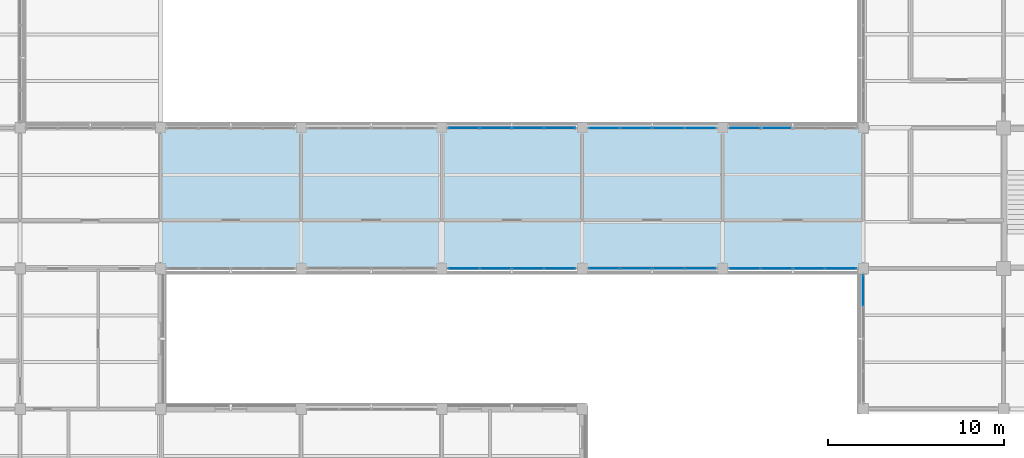
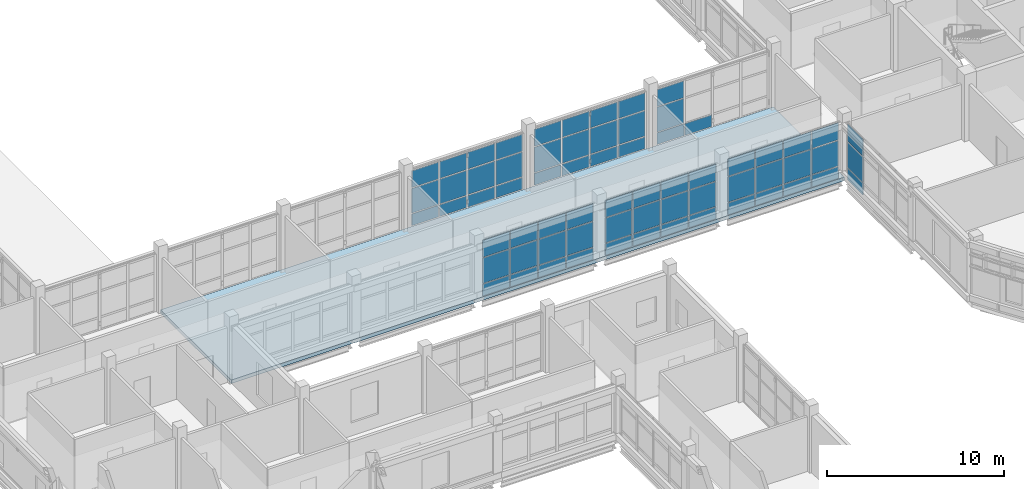
# One storey, part 63 of 121: 67 plates, 1 slab, 7 elements without a shape of their own.
"""IFC4 building model written with IfcOpenShell, lengths in metres."""

from ifc_helpers import new_model, si_unit, derived_unit, direction, frame, origin, origin_2d, place, context, subcontext, project, spatial, polyline, rectangle, outline, extrude, material, layer, layer_set, type_object, element, aggregate, save


model = new_model("IFC4")

# Units and contexts
model_context = context("Model", 3, precision=1e-05, world=origin(), true_north=direction((0.0, 1.0)))
body_context = subcontext(model_context, "Body", "Model", "MODEL_VIEW")
ifc_project = project(units=[si_unit("LENGTHUNIT", "METRE"), si_unit("AREAUNIT", "SQUARE_METRE"), si_unit("VOLUMEUNIT", "CUBIC_METRE"), si_unit("PLANEANGLEUNIT", "RADIAN"), si_unit("MASSUNIT", "GRAM", prefix="KILO"), derived_unit("THERMALTRANSMITTANCEUNIT", [(si_unit("MASSUNIT", "GRAM", prefix="KILO"), 1), (si_unit("TIMEUNIT", "SECOND"), -3), (si_unit("THERMODYNAMICTEMPERATUREUNIT", "KELVIN"), -1)])], contexts=[model_context])

# Site, building, storey
site_placement = place(None, origin())
site = spatial("IfcSite", under=ifc_project, at=site_placement, CompositionType="ELEMENT")
building_placement = place(site_placement, origin())
building = spatial("IfcBuilding", under=site, at=building_placement, Name="Veyamyaing Civic Hall", CompositionType="ELEMENT")
storey_placement = place(building_placement, frame((0.0, 0.0, 5.280029296875)))
storey = spatial("IfcBuildingStorey", under=building, at=storey_placement, Name="L01", CompositionType="ELEMENT", Elevation=5.280029296875)

# Curtain wall, plates
ifc_material_1 = material(Name="Anodised aluminium 6063-T6", Category="aluminium")
ifc_layer_1 = layer(ifc_material_1, 0.159912109375, Name="Anodised aluminium 6063-T6")
ifc_layer_set_1 = layer_set([ifc_layer_1], Name="Anodised aluminium 6063-T6")
curtain_wall_type = type_object("IfcCurtainWallType", Name="CW-02", PredefinedType="NOTDEFINED", material=ifc_layer_set_1)
curtain_wall_1_placement = place(storey_placement, origin())
curtain_wall_1 = element("IfcCurtainWall", 1, at=curtain_wall_1_placement, inside=storey, type_object=curtain_wall_type, Name="Unitized curtain wall CW-02 L01 S 5.7", PredefinedType="NOTDEFINED")
ifc_material_2 = material(Name="Low-E insulated glass", Category="glass")
ifc_layer_2 = layer(ifc_material_2, 0.028076171875, Name="Low-E insulated glass")
ifc_layer_set_2 = layer_set([ifc_layer_2], Name="Low-E insulated glass")
plate_type_1 = type_object("IfcPlateType", Name="CWP-01", PredefinedType="CURTAIN_PANEL", material=ifc_layer_set_2)
plate_1_placement = place(storey_placement, frame((33.263671875, 48.0, 0.06494140625), z_axis=(0.0, 0.0, 1.0), x_axis=(1.0, 0.0, 0.0)))
plate_1 = element("IfcPlate", 2, at=plate_1_placement, type_object=plate_type_1, Name="CW-02 panel 1.1", PredefinedType="CURTAIN_PANEL", context=body_context, shape_type="SweptSolid", body=[
    extrude(rectangle(XDim=1.737548828125, YDim=0.028076171875, at=origin_2d()), origin(), (0.0, 0.0, 1.0), 0.802490234375),
])
plate_2_placement = place(storey_placement, frame((33.263671875, 48.0, 0.9326171875), z_axis=(0.0, 0.0, 1.0), x_axis=(1.0, 0.0, 0.0)))
plate_2 = element("IfcPlate", 3, at=plate_2_placement, type_object=plate_type_1, Name="CW-02 panel 1.2", PredefinedType="CURTAIN_PANEL", context=body_context, shape_type="SweptSolid", body=[
    extrude(rectangle(XDim=1.737548828125, YDim=0.028076171875, at=origin_2d()), origin(), (0.0, 0.0, 1.0), 1.739501953125),
])
plate_3_placement = place(storey_placement, frame((33.263671875, 48.0, 2.73681640625), z_axis=(0.0, 0.0, 1.0), x_axis=(1.0, 0.0, 0.0)))
plate_3 = element("IfcPlate", 4, at=plate_3_placement, type_object=plate_type_1, Name="CW-02 panel 1.3", PredefinedType="CURTAIN_PANEL", context=body_context, shape_type="SweptSolid", body=[
    extrude(rectangle(XDim=1.737548828125, YDim=0.028076171875, at=origin_2d()), origin(), (0.0, 0.0, 1.0), 1.175048828125),
])
plate_4_placement = place(storey_placement, frame((35.08251953125, 48.0, 0.06494140625), z_axis=(0.0, 0.0, 1.0), x_axis=(1.0, 0.0, 0.0)))
plate_4 = element("IfcPlate", 5, at=plate_4_placement, type_object=plate_type_1, Name="CW-02 panel 2.1", PredefinedType="CURTAIN_PANEL", context=body_context, shape_type="SweptSolid", body=[
    extrude(rectangle(XDim=1.77001953125, YDim=0.028076171875, at=origin_2d()), origin(), (0.0, 0.0, 1.0), 0.802490234375),
])
plate_5_placement = place(storey_placement, frame((35.08251953125, 48.0, 0.9326171875), z_axis=(0.0, 0.0, 1.0), x_axis=(1.0, 0.0, 0.0)))
plate_5 = element("IfcPlate", 6, at=plate_5_placement, type_object=plate_type_1, Name="CW-02 panel 2.2", PredefinedType="CURTAIN_PANEL", context=body_context, shape_type="SweptSolid", body=[
    extrude(rectangle(XDim=1.77001953125, YDim=0.028076171875, at=origin_2d()), origin(), (0.0, 0.0, 1.0), 1.739501953125),
])
plate_6_placement = place(storey_placement, frame((35.08251953125, 48.0, 2.73681640625), z_axis=(0.0, 0.0, 1.0), x_axis=(1.0, 0.0, 0.0)))
plate_6 = element("IfcPlate", 7, at=plate_6_placement, type_object=plate_type_1, Name="CW-02 panel 2.3", PredefinedType="CURTAIN_PANEL", context=body_context, shape_type="SweptSolid", body=[
    extrude(rectangle(XDim=1.77001953125, YDim=0.028076171875, at=origin_2d()), origin(), (0.0, 0.0, 1.0), 1.175048828125),
])
plate_7_placement = place(storey_placement, frame((36.91748046875, 48.0, 0.06494140625), z_axis=(0.0, 0.0, 1.0), x_axis=(1.0, 0.0, 0.0)))
plate_7 = element("IfcPlate", 8, at=plate_7_placement, type_object=plate_type_1, Name="CW-02 panel 3.1", PredefinedType="CURTAIN_PANEL", context=body_context, shape_type="SweptSolid", body=[
    extrude(rectangle(XDim=1.77001953125, YDim=0.028076171875, at=origin_2d()), origin(), (0.0, 0.0, 1.0), 0.802490234375),
])
plate_8_placement = place(storey_placement, frame((36.91748046875, 48.0, 0.9326171875), z_axis=(0.0, 0.0, 1.0), x_axis=(1.0, 0.0, 0.0)))
plate_8 = element("IfcPlate", 9, at=plate_8_placement, type_object=plate_type_1, Name="CW-02 panel 3.2", PredefinedType="CURTAIN_PANEL", context=body_context, shape_type="SweptSolid", body=[
    extrude(rectangle(XDim=1.77001953125, YDim=0.028076171875, at=origin_2d()), origin(), (0.0, 0.0, 1.0), 1.739501953125),
])
plate_9_placement = place(storey_placement, frame((36.91748046875, 48.0, 2.73681640625), z_axis=(0.0, 0.0, 1.0), x_axis=(1.0, 0.0, 0.0)))
plate_9 = element("IfcPlate", 10, at=plate_9_placement, type_object=plate_type_1, Name="CW-02 panel 3.3", PredefinedType="CURTAIN_PANEL", context=body_context, shape_type="SweptSolid", body=[
    extrude(rectangle(XDim=1.77001953125, YDim=0.028076171875, at=origin_2d()), origin(), (0.0, 0.0, 1.0), 1.175048828125),
])
plate_10_placement = place(storey_placement, frame((38.736328125, 48.0, 0.06494140625), z_axis=(0.0, 0.0, 1.0), x_axis=(1.0, 0.0, 0.0)))
plate_10 = element("IfcPlate", 11, at=plate_10_placement, type_object=plate_type_1, Name="CW-02 panel 4.1", PredefinedType="CURTAIN_PANEL", context=body_context, shape_type="SweptSolid", body=[
    extrude(rectangle(XDim=1.737548828125, YDim=0.028076171875, at=origin_2d()), origin(), (0.0, 0.0, 1.0), 0.802490234375),
])
plate_11_placement = place(storey_placement, frame((38.736328125, 48.0, 0.9326171875), z_axis=(0.0, 0.0, 1.0), x_axis=(1.0, 0.0, 0.0)))
plate_11 = element("IfcPlate", 12, at=plate_11_placement, type_object=plate_type_1, Name="CW-02 panel 4.2", PredefinedType="CURTAIN_PANEL", context=body_context, shape_type="SweptSolid", body=[
    extrude(rectangle(XDim=1.737548828125, YDim=0.028076171875, at=origin_2d()), origin(), (0.0, 0.0, 1.0), 1.739501953125),
])
plate_12_placement = place(storey_placement, frame((38.736328125, 48.0, 2.73681640625), z_axis=(0.0, 0.0, 1.0), x_axis=(1.0, 0.0, 0.0)))
plate_12 = element("IfcPlate", 13, at=plate_12_placement, type_object=plate_type_1, Name="CW-02 panel 4.3", PredefinedType="CURTAIN_PANEL", context=body_context, shape_type="SweptSolid", body=[
    extrude(rectangle(XDim=1.737548828125, YDim=0.028076171875, at=origin_2d()), origin(), (0.0, 0.0, 1.0), 1.175048828125),
])
aggregate(curtain_wall_1, [plate_1, plate_2, plate_3, plate_4, plate_5, plate_6, plate_7, plate_8, plate_9, plate_10, plate_11, plate_12])

curtain_wall_2_placement = place(storey_placement, origin())
curtain_wall_2 = element("IfcCurtainWall", 14, at=curtain_wall_2_placement, inside=storey, type_object=curtain_wall_type, Name="Unitized curtain wall CW-02 L01 N 5.7", PredefinedType="NOTDEFINED")
plate_13_placement = place(storey_placement, frame((33.263671875, 56.0, 0.06494140625), z_axis=(0.0, 0.0, 1.0), x_axis=(1.0, 0.0, 0.0)))
plate_13 = element("IfcPlate", 15, at=plate_13_placement, type_object=plate_type_1, Name="CW-02 panel 1.1", PredefinedType="CURTAIN_PANEL", context=body_context, shape_type="SweptSolid", body=[
    extrude(rectangle(XDim=1.737548828125, YDim=0.028076171875, at=origin_2d()), origin(), (0.0, 0.0, 1.0), 0.802490234375),
])
plate_14_placement = place(storey_placement, frame((33.263671875, 56.0, 0.932373046875), z_axis=(0.0, 0.0, 1.0), x_axis=(1.0, 0.0, 0.0)))
plate_14 = element("IfcPlate", 16, at=plate_14_placement, type_object=plate_type_1, Name="CW-02 panel 1.2", PredefinedType="CURTAIN_PANEL", context=body_context, shape_type="SweptSolid", body=[
    extrude(rectangle(XDim=1.737548828125, YDim=0.028076171875, at=origin_2d()), origin(), (0.0, 0.0, 1.0), 1.69384765625),
])
plate_15_placement = place(storey_placement, frame((33.263671875, 56.0, 2.691162109375), z_axis=(0.0, 0.0, 1.0), x_axis=(1.0, 0.0, 0.0)))
plate_15 = element("IfcPlate", 17, at=plate_15_placement, type_object=plate_type_1, Name="CW-02 panel 1.3", PredefinedType="CURTAIN_PANEL", context=body_context, shape_type="SweptSolid", body=[
    extrude(rectangle(XDim=1.737548828125, YDim=0.028076171875, at=origin_2d()), origin(), (0.0, 0.0, 1.0), 1.15380859375),
])
plate_16_placement = place(storey_placement, frame((35.08251953125, 56.0, 0.06494140625), z_axis=(0.0, 0.0, 1.0), x_axis=(1.0, 0.0, 0.0)))
plate_16 = element("IfcPlate", 18, at=plate_16_placement, type_object=plate_type_1, Name="CW-02 panel 2.1", PredefinedType="CURTAIN_PANEL", context=body_context, shape_type="SweptSolid", body=[
    extrude(rectangle(XDim=1.77001953125, YDim=0.028076171875, at=origin_2d()), origin(), (0.0, 0.0, 1.0), 0.802490234375),
])
plate_17_placement = place(storey_placement, frame((35.08251953125, 56.0, 0.932373046875), z_axis=(0.0, 0.0, 1.0), x_axis=(1.0, 0.0, 0.0)))
plate_17 = element("IfcPlate", 19, at=plate_17_placement, type_object=plate_type_1, Name="CW-02 panel 2.2", PredefinedType="CURTAIN_PANEL", context=body_context, shape_type="SweptSolid", body=[
    extrude(rectangle(XDim=1.77001953125, YDim=0.028076171875, at=origin_2d()), origin(), (0.0, 0.0, 1.0), 1.69384765625),
])
plate_18_placement = place(storey_placement, frame((35.08251953125, 56.0, 2.691162109375), z_axis=(0.0, 0.0, 1.0), x_axis=(1.0, 0.0, 0.0)))
plate_18 = element("IfcPlate", 20, at=plate_18_placement, type_object=plate_type_1, Name="CW-02 panel 2.3", PredefinedType="CURTAIN_PANEL", context=body_context, shape_type="SweptSolid", body=[
    extrude(rectangle(XDim=1.77001953125, YDim=0.028076171875, at=origin_2d()), origin(), (0.0, 0.0, 1.0), 1.15380859375),
])
plate_19_placement = place(storey_placement, frame((36.91748046875, 56.0, 0.06494140625), z_axis=(0.0, 0.0, 1.0), x_axis=(1.0, 0.0, 0.0)))
plate_19 = element("IfcPlate", 21, at=plate_19_placement, type_object=plate_type_1, Name="CW-02 panel 3.1", PredefinedType="CURTAIN_PANEL", context=body_context, shape_type="SweptSolid", body=[
    extrude(rectangle(XDim=1.77001953125, YDim=0.028076171875, at=origin_2d()), origin(), (0.0, 0.0, 1.0), 0.802490234375),
])
plate_20_placement = place(storey_placement, frame((36.91748046875, 56.0, 0.932373046875), z_axis=(0.0, 0.0, 1.0), x_axis=(1.0, 0.0, 0.0)))
plate_20 = element("IfcPlate", 22, at=plate_20_placement, type_object=plate_type_1, Name="CW-02 panel 3.2", PredefinedType="CURTAIN_PANEL", context=body_context, shape_type="SweptSolid", body=[
    extrude(rectangle(XDim=1.77001953125, YDim=0.028076171875, at=origin_2d()), origin(), (0.0, 0.0, 1.0), 1.69384765625),
])
plate_21_placement = place(storey_placement, frame((36.91748046875, 56.0, 2.691162109375), z_axis=(0.0, 0.0, 1.0), x_axis=(1.0, 0.0, 0.0)))
plate_21 = element("IfcPlate", 23, at=plate_21_placement, type_object=plate_type_1, Name="CW-02 panel 3.3", PredefinedType="CURTAIN_PANEL", context=body_context, shape_type="SweptSolid", body=[
    extrude(rectangle(XDim=1.77001953125, YDim=0.028076171875, at=origin_2d()), origin(), (0.0, 0.0, 1.0), 1.15380859375),
])
plate_22_placement = place(storey_placement, frame((38.736328125, 56.0, 0.06494140625), z_axis=(0.0, 0.0, 1.0), x_axis=(1.0, 0.0, 0.0)))
plate_22 = element("IfcPlate", 24, at=plate_22_placement, type_object=plate_type_1, Name="CW-02 panel 4.1", PredefinedType="CURTAIN_PANEL", context=body_context, shape_type="SweptSolid", body=[
    extrude(rectangle(XDim=1.737548828125, YDim=0.028076171875, at=origin_2d()), origin(), (0.0, 0.0, 1.0), 0.802490234375),
])
plate_23_placement = place(storey_placement, frame((38.736328125, 56.0, 0.932373046875), z_axis=(0.0, 0.0, 1.0), x_axis=(1.0, 0.0, 0.0)))
plate_23 = element("IfcPlate", 25, at=plate_23_placement, type_object=plate_type_1, Name="CW-02 panel 4.2", PredefinedType="CURTAIN_PANEL", context=body_context, shape_type="SweptSolid", body=[
    extrude(rectangle(XDim=1.737548828125, YDim=0.028076171875, at=origin_2d()), origin(), (0.0, 0.0, 1.0), 1.69384765625),
])
plate_24_placement = place(storey_placement, frame((38.736328125, 56.0, 2.691162109375), z_axis=(0.0, 0.0, 1.0), x_axis=(1.0, 0.0, 0.0)))
plate_24 = element("IfcPlate", 26, at=plate_24_placement, type_object=plate_type_1, Name="CW-02 panel 4.3", PredefinedType="CURTAIN_PANEL", context=body_context, shape_type="SweptSolid", body=[
    extrude(rectangle(XDim=1.737548828125, YDim=0.028076171875, at=origin_2d()), origin(), (0.0, 0.0, 1.0), 1.15380859375),
])
aggregate(curtain_wall_2, [plate_13, plate_14, plate_15, plate_16, plate_17, plate_18, plate_19, plate_20, plate_21, plate_22, plate_23, plate_24])

curtain_wall_3_placement = place(storey_placement, origin())
curtain_wall_3 = element("IfcCurtainWall", 27, at=curtain_wall_3_placement, inside=storey, type_object=curtain_wall_type, Name="Unitized curtain wall CW-02 L01 S 6.7", PredefinedType="NOTDEFINED")
ifc_layer_3 = layer(ifc_material_2, 0.031982421875, Name="Low-E insulated glass")
ifc_layer_set_3 = layer_set([ifc_layer_3], Name="Low-E insulated glass")
plate_type_2 = type_object("IfcPlateType", Name="CWP-02", PredefinedType="CURTAIN_PANEL", material=ifc_layer_set_3)
plate_25_placement = place(storey_placement, frame((41.263671875, 48.0, 0.06494140625), z_axis=(0.0, 0.0, 1.0), x_axis=(1.0, 0.0, 0.0)))
plate_25 = element("IfcPlate", 28, at=plate_25_placement, type_object=plate_type_2, Name="CW-02 panel 1.1", PredefinedType="CURTAIN_PANEL", context=body_context, shape_type="SweptSolid", body=[
    extrude(rectangle(XDim=1.737548828125, YDim=0.031982421875, at=origin_2d()), origin(), (0.0, 0.0, 1.0), 0.802490234375),
])
plate_26_placement = place(storey_placement, frame((41.263671875, 48.0, 0.932373046875), z_axis=(0.0, 0.0, 1.0), x_axis=(1.0, 0.0, 0.0)))
plate_26 = element("IfcPlate", 29, at=plate_26_placement, type_object=plate_type_2, Name="CW-02 panel 1.2", PredefinedType="CURTAIN_PANEL", context=body_context, shape_type="SweptSolid", body=[
    extrude(rectangle(XDim=1.737548828125, YDim=0.031982421875, at=origin_2d()), origin(), (0.0, 0.0, 1.0), 1.69384765625),
])
plate_27_placement = place(storey_placement, frame((41.263671875, 48.0, 2.691162109375), z_axis=(0.0, 0.0, 1.0), x_axis=(1.0, 0.0, 0.0)))
plate_27 = element("IfcPlate", 30, at=plate_27_placement, type_object=plate_type_2, Name="CW-02 panel 1.3", PredefinedType="CURTAIN_PANEL", context=body_context, shape_type="SweptSolid", body=[
    extrude(rectangle(XDim=1.737548828125, YDim=0.031982421875, at=origin_2d()), origin(), (0.0, 0.0, 1.0), 1.15380859375),
])
plate_28_placement = place(storey_placement, frame((43.08251953125, 48.0, 0.06494140625), z_axis=(0.0, 0.0, 1.0), x_axis=(1.0, 0.0, 0.0)))
plate_28 = element("IfcPlate", 31, at=plate_28_placement, type_object=plate_type_2, Name="CW-02 panel 2.1", PredefinedType="CURTAIN_PANEL", context=body_context, shape_type="SweptSolid", body=[
    extrude(rectangle(XDim=1.77001953125, YDim=0.031982421875, at=origin_2d()), origin(), (0.0, 0.0, 1.0), 0.802490234375),
])
plate_29_placement = place(storey_placement, frame((43.08251953125, 48.0, 0.932373046875), z_axis=(0.0, 0.0, 1.0), x_axis=(1.0, 0.0, 0.0)))
plate_29 = element("IfcPlate", 32, at=plate_29_placement, type_object=plate_type_2, Name="CW-02 panel 2.2", PredefinedType="CURTAIN_PANEL", context=body_context, shape_type="SweptSolid", body=[
    extrude(rectangle(XDim=1.77001953125, YDim=0.031982421875, at=origin_2d()), origin(), (0.0, 0.0, 1.0), 1.69384765625),
])
plate_30_placement = place(storey_placement, frame((43.08251953125, 48.0, 2.691162109375), z_axis=(0.0, 0.0, 1.0), x_axis=(1.0, 0.0, 0.0)))
plate_30 = element("IfcPlate", 33, at=plate_30_placement, type_object=plate_type_2, Name="CW-02 panel 2.3", PredefinedType="CURTAIN_PANEL", context=body_context, shape_type="SweptSolid", body=[
    extrude(rectangle(XDim=1.77001953125, YDim=0.031982421875, at=origin_2d()), origin(), (0.0, 0.0, 1.0), 1.15380859375),
])
plate_31_placement = place(storey_placement, frame((44.91748046875, 48.0, 0.06494140625), z_axis=(0.0, 0.0, 1.0), x_axis=(1.0, 0.0, 0.0)))
plate_31 = element("IfcPlate", 34, at=plate_31_placement, type_object=plate_type_2, Name="CW-02 panel 3.1", PredefinedType="CURTAIN_PANEL", context=body_context, shape_type="SweptSolid", body=[
    extrude(rectangle(XDim=1.77001953125, YDim=0.031982421875, at=origin_2d()), origin(), (0.0, 0.0, 1.0), 0.802490234375),
])
plate_32_placement = place(storey_placement, frame((44.91748046875, 48.0, 0.932373046875), z_axis=(0.0, 0.0, 1.0), x_axis=(1.0, 0.0, 0.0)))
plate_32 = element("IfcPlate", 35, at=plate_32_placement, type_object=plate_type_2, Name="CW-02 panel 3.2", PredefinedType="CURTAIN_PANEL", context=body_context, shape_type="SweptSolid", body=[
    extrude(rectangle(XDim=1.77001953125, YDim=0.031982421875, at=origin_2d()), origin(), (0.0, 0.0, 1.0), 1.69384765625),
])
plate_33_placement = place(storey_placement, frame((44.91748046875, 48.0, 2.691162109375), z_axis=(0.0, 0.0, 1.0), x_axis=(1.0, 0.0, 0.0)))
plate_33 = element("IfcPlate", 36, at=plate_33_placement, type_object=plate_type_2, Name="CW-02 panel 3.3", PredefinedType="CURTAIN_PANEL", context=body_context, shape_type="SweptSolid", body=[
    extrude(rectangle(XDim=1.77001953125, YDim=0.031982421875, at=origin_2d()), origin(), (0.0, 0.0, 1.0), 1.15380859375),
])
plate_34_placement = place(storey_placement, frame((46.736328125, 48.0, 0.06494140625), z_axis=(0.0, 0.0, 1.0), x_axis=(1.0, 0.0, 0.0)))
plate_34 = element("IfcPlate", 37, at=plate_34_placement, type_object=plate_type_2, Name="CW-02 panel 4.1", PredefinedType="CURTAIN_PANEL", context=body_context, shape_type="SweptSolid", body=[
    extrude(rectangle(XDim=1.737548828125, YDim=0.031982421875, at=origin_2d()), origin(), (0.0, 0.0, 1.0), 0.802490234375),
])
plate_35_placement = place(storey_placement, frame((46.736328125, 48.0, 0.932373046875), z_axis=(0.0, 0.0, 1.0), x_axis=(1.0, 0.0, 0.0)))
plate_35 = element("IfcPlate", 38, at=plate_35_placement, type_object=plate_type_2, Name="CW-02 panel 4.2", PredefinedType="CURTAIN_PANEL", context=body_context, shape_type="SweptSolid", body=[
    extrude(rectangle(XDim=1.737548828125, YDim=0.031982421875, at=origin_2d()), origin(), (0.0, 0.0, 1.0), 1.69384765625),
])
plate_36_placement = place(storey_placement, frame((46.736328125, 48.0, 2.691162109375), z_axis=(0.0, 0.0, 1.0), x_axis=(1.0, 0.0, 0.0)))
plate_36 = element("IfcPlate", 39, at=plate_36_placement, type_object=plate_type_2, Name="CW-02 panel 4.3", PredefinedType="CURTAIN_PANEL", context=body_context, shape_type="SweptSolid", body=[
    extrude(rectangle(XDim=1.737548828125, YDim=0.031982421875, at=origin_2d()), origin(), (0.0, 0.0, 1.0), 1.15380859375),
])
aggregate(curtain_wall_3, [plate_25, plate_26, plate_27, plate_28, plate_29, plate_30, plate_31, plate_32, plate_33, plate_34, plate_35, plate_36])

curtain_wall_4_placement = place(storey_placement, origin())
curtain_wall_4 = element("IfcCurtainWall", 40, at=curtain_wall_4_placement, inside=storey, type_object=curtain_wall_type, Name="Unitized curtain wall CW-02 L01 N 6.7", PredefinedType="NOTDEFINED")
plate_37_placement = place(storey_placement, frame((41.263671875, 56.0, 0.06494140625), z_axis=(0.0, 0.0, 1.0), x_axis=(1.0, 0.0, 0.0)))
plate_37 = element("IfcPlate", 41, at=plate_37_placement, type_object=plate_type_2, Name="CW-02 panel 1.1", PredefinedType="CURTAIN_PANEL", context=body_context, shape_type="SweptSolid", body=[
    extrude(rectangle(XDim=1.737548828125, YDim=0.031982421875, at=origin_2d()), origin(), (0.0, 0.0, 1.0), 0.802490234375),
])
plate_38_placement = place(storey_placement, frame((41.263671875, 56.0, 0.932373046875), z_axis=(0.0, 0.0, 1.0), x_axis=(1.0, 0.0, 0.0)))
plate_38 = element("IfcPlate", 42, at=plate_38_placement, type_object=plate_type_2, Name="CW-02 panel 1.2", PredefinedType="CURTAIN_PANEL", context=body_context, shape_type="SweptSolid", body=[
    extrude(rectangle(XDim=1.737548828125, YDim=0.031982421875, at=origin_2d()), origin(), (0.0, 0.0, 1.0), 1.7373046875),
])
plate_39_placement = place(storey_placement, frame((41.263671875, 56.0, 2.734619140625), z_axis=(0.0, 0.0, 1.0), x_axis=(1.0, 0.0, 0.0)))
plate_39 = element("IfcPlate", 43, at=plate_39_placement, type_object=plate_type_2, Name="CW-02 panel 1.3", PredefinedType="CURTAIN_PANEL", context=body_context, shape_type="SweptSolid", body=[
    extrude(rectangle(XDim=1.737548828125, YDim=0.031982421875, at=origin_2d()), origin(), (0.0, 0.0, 1.0), 1.17431640625),
])
plate_40_placement = place(storey_placement, frame((43.08251953125, 56.0, 0.06494140625), z_axis=(0.0, 0.0, 1.0), x_axis=(1.0, 0.0, 0.0)))
plate_40 = element("IfcPlate", 44, at=plate_40_placement, type_object=plate_type_2, Name="CW-02 panel 2.1", PredefinedType="CURTAIN_PANEL", context=body_context, shape_type="SweptSolid", body=[
    extrude(rectangle(XDim=1.77001953125, YDim=0.031982421875, at=origin_2d()), origin(), (0.0, 0.0, 1.0), 0.802490234375),
])
plate_41_placement = place(storey_placement, frame((43.08251953125, 56.0, 0.932373046875), z_axis=(0.0, 0.0, 1.0), x_axis=(1.0, 0.0, 0.0)))
plate_41 = element("IfcPlate", 45, at=plate_41_placement, type_object=plate_type_2, Name="CW-02 panel 2.2", PredefinedType="CURTAIN_PANEL", context=body_context, shape_type="SweptSolid", body=[
    extrude(rectangle(XDim=1.77001953125, YDim=0.031982421875, at=origin_2d()), origin(), (0.0, 0.0, 1.0), 1.7373046875),
])
plate_42_placement = place(storey_placement, frame((43.08251953125, 56.0, 2.734619140625), z_axis=(0.0, 0.0, 1.0), x_axis=(1.0, 0.0, 0.0)))
plate_42 = element("IfcPlate", 46, at=plate_42_placement, type_object=plate_type_2, Name="CW-02 panel 2.3", PredefinedType="CURTAIN_PANEL", context=body_context, shape_type="SweptSolid", body=[
    extrude(rectangle(XDim=1.77001953125, YDim=0.031982421875, at=origin_2d()), origin(), (0.0, 0.0, 1.0), 1.17431640625),
])
plate_43_placement = place(storey_placement, frame((44.91748046875, 56.0, 0.06494140625), z_axis=(0.0, 0.0, 1.0), x_axis=(1.0, 0.0, 0.0)))
plate_43 = element("IfcPlate", 47, at=plate_43_placement, type_object=plate_type_2, Name="CW-02 panel 3.1", PredefinedType="CURTAIN_PANEL", context=body_context, shape_type="SweptSolid", body=[
    extrude(rectangle(XDim=1.77001953125, YDim=0.031982421875, at=origin_2d()), origin(), (0.0, 0.0, 1.0), 0.802490234375),
])
plate_44_placement = place(storey_placement, frame((44.91748046875, 56.0, 0.932373046875), z_axis=(0.0, 0.0, 1.0), x_axis=(1.0, 0.0, 0.0)))
plate_44 = element("IfcPlate", 48, at=plate_44_placement, type_object=plate_type_2, Name="CW-02 panel 3.2", PredefinedType="CURTAIN_PANEL", context=body_context, shape_type="SweptSolid", body=[
    extrude(rectangle(XDim=1.77001953125, YDim=0.031982421875, at=origin_2d()), origin(), (0.0, 0.0, 1.0), 1.7373046875),
])
plate_45_placement = place(storey_placement, frame((44.91748046875, 56.0, 2.734619140625), z_axis=(0.0, 0.0, 1.0), x_axis=(1.0, 0.0, 0.0)))
plate_45 = element("IfcPlate", 49, at=plate_45_placement, type_object=plate_type_2, Name="CW-02 panel 3.3", PredefinedType="CURTAIN_PANEL", context=body_context, shape_type="SweptSolid", body=[
    extrude(rectangle(XDim=1.77001953125, YDim=0.031982421875, at=origin_2d()), origin(), (0.0, 0.0, 1.0), 1.17431640625),
])
plate_46_placement = place(storey_placement, frame((46.736328125, 56.0, 0.06494140625), z_axis=(0.0, 0.0, 1.0), x_axis=(1.0, 0.0, 0.0)))
plate_46 = element("IfcPlate", 50, at=plate_46_placement, type_object=plate_type_2, Name="CW-02 panel 4.1", PredefinedType="CURTAIN_PANEL", context=body_context, shape_type="SweptSolid", body=[
    extrude(rectangle(XDim=1.737548828125, YDim=0.031982421875, at=origin_2d()), origin(), (0.0, 0.0, 1.0), 0.802490234375),
])
plate_47_placement = place(storey_placement, frame((46.736328125, 56.0, 0.932373046875), z_axis=(0.0, 0.0, 1.0), x_axis=(1.0, 0.0, 0.0)))
plate_47 = element("IfcPlate", 51, at=plate_47_placement, type_object=plate_type_2, Name="CW-02 panel 4.2", PredefinedType="CURTAIN_PANEL", context=body_context, shape_type="SweptSolid", body=[
    extrude(rectangle(XDim=1.737548828125, YDim=0.031982421875, at=origin_2d()), origin(), (0.0, 0.0, 1.0), 1.7373046875),
])
plate_48_placement = place(storey_placement, frame((46.736328125, 56.0, 2.734619140625), z_axis=(0.0, 0.0, 1.0), x_axis=(1.0, 0.0, 0.0)))
plate_48 = element("IfcPlate", 52, at=plate_48_placement, type_object=plate_type_2, Name="CW-02 panel 4.3", PredefinedType="CURTAIN_PANEL", context=body_context, shape_type="SweptSolid", body=[
    extrude(rectangle(XDim=1.737548828125, YDim=0.031982421875, at=origin_2d()), origin(), (0.0, 0.0, 1.0), 1.17431640625),
])
aggregate(curtain_wall_4, [plate_37, plate_38, plate_39, plate_40, plate_41, plate_42, plate_43, plate_44, plate_45, plate_46, plate_47, plate_48])

curtain_wall_5_placement = place(storey_placement, origin())
curtain_wall_5 = element("IfcCurtainWall", 53, at=curtain_wall_5_placement, inside=storey, type_object=curtain_wall_type, Name="Unitized curtain wall CW-02 L01 S 7.7", PredefinedType="NOTDEFINED")
ifc_layer_4 = layer(ifc_material_2, 0.035888671875, Name="Low-E insulated glass")
ifc_layer_set_4 = layer_set([ifc_layer_4], Name="Low-E insulated glass")
plate_type_3 = type_object("IfcPlateType", Name="CWP-03", PredefinedType="CURTAIN_PANEL", material=ifc_layer_set_4)
plate_49_placement = place(storey_placement, frame((49.263671875, 48.0, 0.06494140625), z_axis=(0.0, 0.0, 1.0), x_axis=(1.0, 0.0, 0.0)))
plate_49 = element("IfcPlate", 54, at=plate_49_placement, type_object=plate_type_3, Name="CW-02 panel 1.1", PredefinedType="CURTAIN_PANEL", context=body_context, shape_type="SweptSolid", body=[
    extrude(rectangle(XDim=1.737548828125, YDim=0.035888671875, at=origin_2d()), origin(), (0.0, 0.0, 1.0), 0.802490234375),
])
plate_50_placement = place(storey_placement, frame((49.263671875, 48.0, 0.932373046875), z_axis=(0.0, 0.0, 1.0), x_axis=(1.0, 0.0, 0.0)))
plate_50 = element("IfcPlate", 55, at=plate_50_placement, type_object=plate_type_3, Name="CW-02 panel 1.2", PredefinedType="CURTAIN_PANEL", context=body_context, shape_type="SweptSolid", body=[
    extrude(rectangle(XDim=1.737548828125, YDim=0.035888671875, at=origin_2d()), origin(), (0.0, 0.0, 1.0), 1.7373046875),
])
plate_51_placement = place(storey_placement, frame((49.263671875, 48.0, 2.734619140625), z_axis=(0.0, 0.0, 1.0), x_axis=(1.0, 0.0, 0.0)))
plate_51 = element("IfcPlate", 56, at=plate_51_placement, type_object=plate_type_3, Name="CW-02 panel 1.3", PredefinedType="CURTAIN_PANEL", context=body_context, shape_type="SweptSolid", body=[
    extrude(rectangle(XDim=1.737548828125, YDim=0.035888671875, at=origin_2d()), origin(), (0.0, 0.0, 1.0), 1.17431640625),
])
plate_52_placement = place(storey_placement, frame((51.08251953125, 48.0, 0.06494140625), z_axis=(0.0, 0.0, 1.0), x_axis=(1.0, 0.0, 0.0)))
plate_52 = element("IfcPlate", 57, at=plate_52_placement, type_object=plate_type_3, Name="CW-02 panel 2.1", PredefinedType="CURTAIN_PANEL", context=body_context, shape_type="SweptSolid", body=[
    extrude(rectangle(XDim=1.77001953125, YDim=0.035888671875, at=origin_2d()), origin(), (0.0, 0.0, 1.0), 0.802490234375),
])
plate_53_placement = place(storey_placement, frame((51.08251953125, 48.0, 0.932373046875), z_axis=(0.0, 0.0, 1.0), x_axis=(1.0, 0.0, 0.0)))
plate_53 = element("IfcPlate", 58, at=plate_53_placement, type_object=plate_type_3, Name="CW-02 panel 2.2", PredefinedType="CURTAIN_PANEL", context=body_context, shape_type="SweptSolid", body=[
    extrude(rectangle(XDim=1.77001953125, YDim=0.035888671875, at=origin_2d()), origin(), (0.0, 0.0, 1.0), 1.7373046875),
])
plate_54_placement = place(storey_placement, frame((51.08251953125, 48.0, 2.734619140625), z_axis=(0.0, 0.0, 1.0), x_axis=(1.0, 0.0, 0.0)))
plate_54 = element("IfcPlate", 59, at=plate_54_placement, type_object=plate_type_3, Name="CW-02 panel 2.3", PredefinedType="CURTAIN_PANEL", context=body_context, shape_type="SweptSolid", body=[
    extrude(rectangle(XDim=1.77001953125, YDim=0.035888671875, at=origin_2d()), origin(), (0.0, 0.0, 1.0), 1.17431640625),
])
plate_55_placement = place(storey_placement, frame((52.91748046875, 48.0, 0.06494140625), z_axis=(0.0, 0.0, 1.0), x_axis=(1.0, 0.0, 0.0)))
plate_55 = element("IfcPlate", 60, at=plate_55_placement, type_object=plate_type_3, Name="CW-02 panel 3.1", PredefinedType="CURTAIN_PANEL", context=body_context, shape_type="SweptSolid", body=[
    extrude(rectangle(XDim=1.77001953125, YDim=0.035888671875, at=origin_2d()), origin(), (0.0, 0.0, 1.0), 0.802490234375),
])
plate_56_placement = place(storey_placement, frame((52.91748046875, 48.0, 0.932373046875), z_axis=(0.0, 0.0, 1.0), x_axis=(1.0, 0.0, 0.0)))
plate_56 = element("IfcPlate", 61, at=plate_56_placement, type_object=plate_type_3, Name="CW-02 panel 3.2", PredefinedType="CURTAIN_PANEL", context=body_context, shape_type="SweptSolid", body=[
    extrude(rectangle(XDim=1.77001953125, YDim=0.035888671875, at=origin_2d()), origin(), (0.0, 0.0, 1.0), 1.7373046875),
])
plate_57_placement = place(storey_placement, frame((52.91748046875, 48.0, 2.734619140625), z_axis=(0.0, 0.0, 1.0), x_axis=(1.0, 0.0, 0.0)))
plate_57 = element("IfcPlate", 62, at=plate_57_placement, type_object=plate_type_3, Name="CW-02 panel 3.3", PredefinedType="CURTAIN_PANEL", context=body_context, shape_type="SweptSolid", body=[
    extrude(rectangle(XDim=1.77001953125, YDim=0.035888671875, at=origin_2d()), origin(), (0.0, 0.0, 1.0), 1.17431640625),
])
plate_58_placement = place(storey_placement, frame((54.736328125, 48.0, 0.06494140625), z_axis=(0.0, 0.0, 1.0), x_axis=(1.0, 0.0, 0.0)))
plate_58 = element("IfcPlate", 63, at=plate_58_placement, type_object=plate_type_3, Name="CW-02 panel 4.1", PredefinedType="CURTAIN_PANEL", context=body_context, shape_type="SweptSolid", body=[
    extrude(rectangle(XDim=1.737548828125, YDim=0.035888671875, at=origin_2d()), origin(), (0.0, 0.0, 1.0), 0.802490234375),
])
plate_59_placement = place(storey_placement, frame((54.736328125, 48.0, 0.932373046875), z_axis=(0.0, 0.0, 1.0), x_axis=(1.0, 0.0, 0.0)))
plate_59 = element("IfcPlate", 64, at=plate_59_placement, type_object=plate_type_3, Name="CW-02 panel 4.2", PredefinedType="CURTAIN_PANEL", context=body_context, shape_type="SweptSolid", body=[
    extrude(rectangle(XDim=1.737548828125, YDim=0.035888671875, at=origin_2d()), origin(), (0.0, 0.0, 1.0), 1.7373046875),
])
plate_60_placement = place(storey_placement, frame((54.736328125, 48.0, 2.734619140625), z_axis=(0.0, 0.0, 1.0), x_axis=(1.0, 0.0, 0.0)))
plate_60 = element("IfcPlate", 65, at=plate_60_placement, type_object=plate_type_3, Name="CW-02 panel 4.3", PredefinedType="CURTAIN_PANEL", context=body_context, shape_type="SweptSolid", body=[
    extrude(rectangle(XDim=1.737548828125, YDim=0.035888671875, at=origin_2d()), origin(), (0.0, 0.0, 1.0), 1.17431640625),
])
aggregate(curtain_wall_5, [plate_49, plate_50, plate_51, plate_52, plate_53, plate_54, plate_55, plate_56, plate_57, plate_58, plate_59, plate_60])

curtain_wall_6_placement = place(storey_placement, origin())
curtain_wall_6 = element("IfcCurtainWall", 66, at=curtain_wall_6_placement, inside=storey, type_object=curtain_wall_type, Name="Unitized curtain wall CW-02 L01 N 7.7", PredefinedType="NOTDEFINED")
plate_61_placement = place(storey_placement, frame((49.263671875, 56.0, 0.06494140625), z_axis=(0.0, 0.0, 1.0), x_axis=(1.0, 0.0, 0.0)))
plate_61 = element("IfcPlate", 67, at=plate_61_placement, type_object=plate_type_3, Name="CW-02 panel 1.1", PredefinedType="CURTAIN_PANEL", context=body_context, shape_type="SweptSolid", body=[
    extrude(rectangle(XDim=1.737548828125, YDim=0.035888671875, at=origin_2d()), origin(), (0.0, 0.0, 1.0), 0.802490234375),
])
plate_62_placement = place(storey_placement, frame((49.263671875, 56.0, 0.9326171875), z_axis=(0.0, 0.0, 1.0), x_axis=(1.0, 0.0, 0.0)))
plate_62 = element("IfcPlate", 68, at=plate_62_placement, type_object=plate_type_3, Name="CW-02 panel 1.2", PredefinedType="CURTAIN_PANEL", context=body_context, shape_type="SweptSolid", body=[
    extrude(rectangle(XDim=1.737548828125, YDim=0.035888671875, at=origin_2d()), origin(), (0.0, 0.0, 1.0), 1.696533203125),
])
plate_63_placement = place(storey_placement, frame((49.263671875, 56.0, 2.69384765625), z_axis=(0.0, 0.0, 1.0), x_axis=(1.0, 0.0, 0.0)))
plate_63 = element("IfcPlate", 69, at=plate_63_placement, type_object=plate_type_3, Name="CW-02 panel 1.3", PredefinedType="CURTAIN_PANEL", context=body_context, shape_type="SweptSolid", body=[
    extrude(rectangle(XDim=1.737548828125, YDim=0.035888671875, at=origin_2d()), origin(), (0.0, 0.0, 1.0), 1.155029296875),
])
plate_64_placement = place(storey_placement, frame((51.08251953125, 56.0, 0.06494140625), z_axis=(0.0, 0.0, 1.0), x_axis=(1.0, 0.0, 0.0)))
plate_64 = element("IfcPlate", 70, at=plate_64_placement, type_object=plate_type_3, Name="CW-02 panel 2.1", PredefinedType="CURTAIN_PANEL", context=body_context, shape_type="SweptSolid", body=[
    extrude(rectangle(XDim=1.77001953125, YDim=0.035888671875, at=origin_2d()), origin(), (0.0, 0.0, 1.0), 0.802490234375),
])
aggregate(curtain_wall_6, [plate_61, plate_62, plate_63, plate_64])

curtain_wall_7_placement = place(storey_placement, origin())
curtain_wall_7 = element("IfcCurtainWall", 71, at=curtain_wall_7_placement, inside=storey, type_object=curtain_wall_type, Name="Unitized curtain wall CW-02 L01 W 8.6", PredefinedType="NOTDEFINED")
plate_65_placement = place(storey_placement, frame((56.0, 46.736328125, 0.06494140625), z_axis=(0.0, 0.0, 1.0), x_axis=(0.0, 1.0, 0.0)))
plate_65 = element("IfcPlate", 72, at=plate_65_placement, type_object=plate_type_3, Name="CW-02 panel 4.1", PredefinedType="CURTAIN_PANEL", context=body_context, shape_type="SweptSolid", body=[
    extrude(rectangle(XDim=1.737548828125, YDim=0.035888671875, at=origin_2d()), origin(), (0.0, 0.0, 1.0), 0.802490234375),
])
plate_66_placement = place(storey_placement, frame((56.0, 46.736328125, 0.932373046875), z_axis=(0.0, 0.0, 1.0), x_axis=(0.0, 1.0, 0.0)))
plate_66 = element("IfcPlate", 73, at=plate_66_placement, type_object=plate_type_3, Name="CW-02 panel 4.2", PredefinedType="CURTAIN_PANEL", context=body_context, shape_type="SweptSolid", body=[
    extrude(rectangle(XDim=1.737548828125, YDim=0.035888671875, at=origin_2d()), origin(), (0.0, 0.0, 1.0), 1.7373046875),
])
plate_67_placement = place(storey_placement, frame((56.0, 46.736328125, 2.734619140625), z_axis=(0.0, 0.0, 1.0), x_axis=(0.0, 1.0, 0.0)))
plate_67 = element("IfcPlate", 74, at=plate_67_placement, type_object=plate_type_3, Name="CW-02 panel 4.3", PredefinedType="CURTAIN_PANEL", context=body_context, shape_type="SweptSolid", body=[
    extrude(rectangle(XDim=1.737548828125, YDim=0.035888671875, at=origin_2d()), origin(), (0.0, 0.0, 1.0), 1.17431640625),
])
aggregate(curtain_wall_7, [plate_65, plate_66, plate_67])

# Slab
ifc_material_3 = material(Name="Concrete C40/50", Category="concrete")
ifc_layer_5 = layer(ifc_material_3, 0.2451171875, Name="Concrete C40/50")
ifc_layer_set_5 = layer_set([ifc_layer_5], Name="Concrete C40/50")
slab_type = type_object("IfcSlabType", Name="SL-03", PredefinedType="FLOOR", material=ifc_layer_set_5)
slab_placement = place(storey_placement, frame((0.0, 0.0, -0.2451171875)))
element("IfcSlab", 75, at=slab_placement, inside=storey, type_object=slab_type, Name="Floor slab SL-03 L01 LNKW.1", PredefinedType="FLOOR", context=body_context, shape_type="SweptSolid", body=[
    extrude(outline(polyline([(16.0, 56.0), (56.0, 56.0), (56.0, 48.0), (16.0, 48.0), (16.0, 56.0)])), origin(), (0.0, 0.0, 1.0), 0.2451171875),
])

save(model, "model.ifc")
